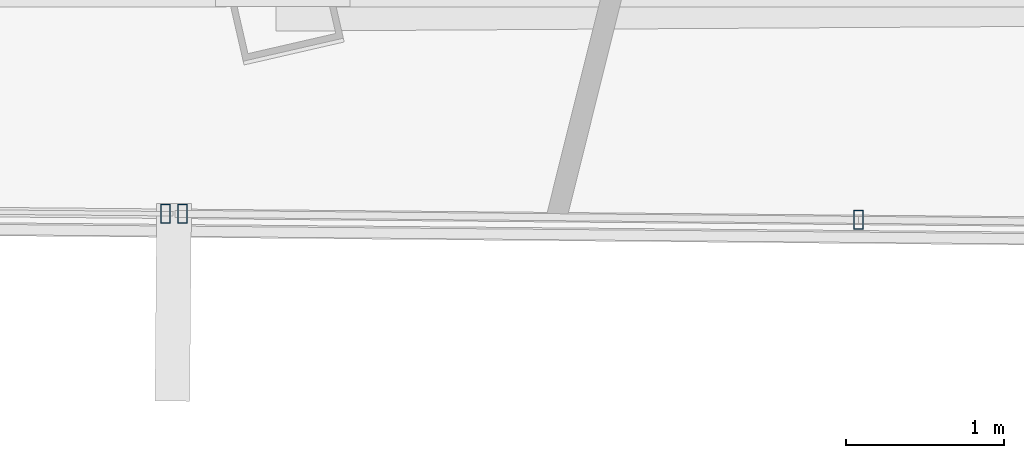
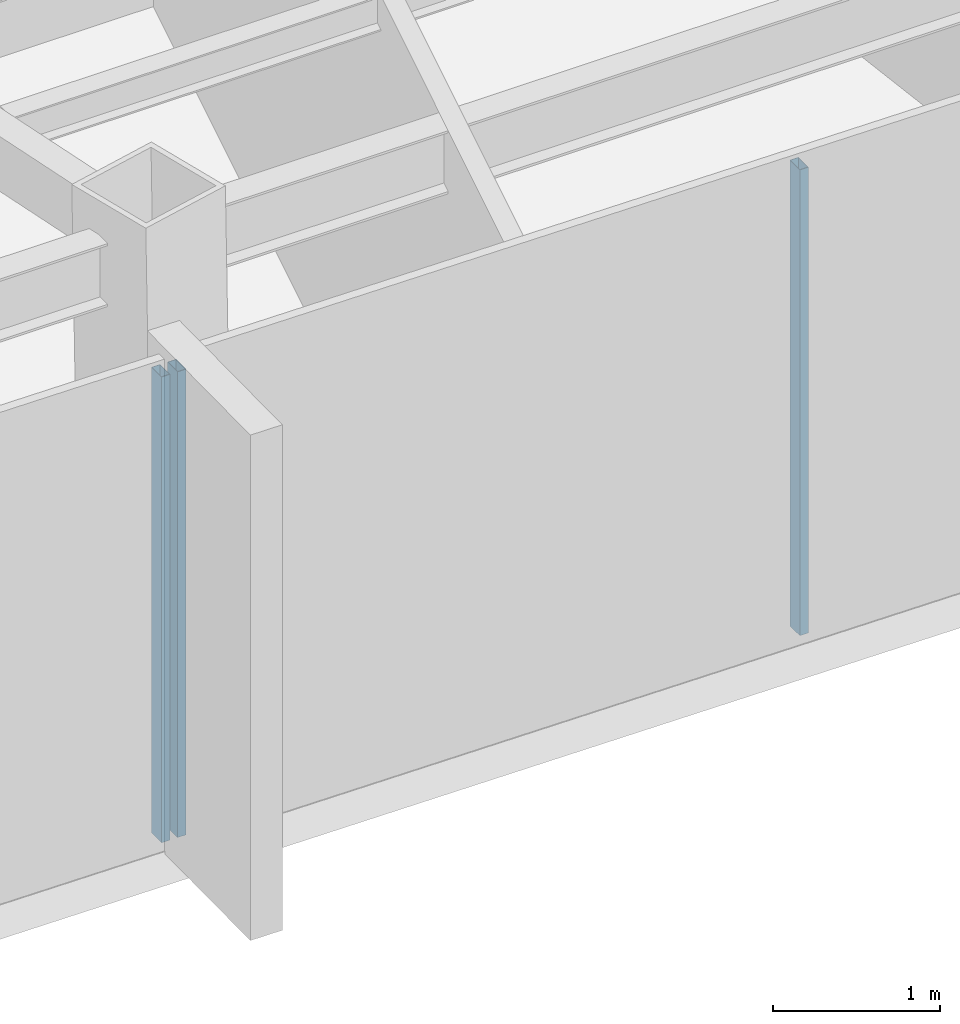
# One storey, part 11 of 46: 3 members, 2 elements without a shape of their own.
"""IFC4 building model written with IfcOpenShell, lengths in metres."""

from ifc_helpers import new_model, si_unit, direction, frame, origin, origin_2d, place, context, subcontext, project, spatial, hollow_rectangle, extrude, source, transform, mapped, material, material_profile, profile_set, type_object, type_shapes, element, aggregate, save


model = new_model("IFC4")

# Units and contexts
model_context = context("Model", 3, precision=1e-05, world=origin(), true_north=direction((0.0, 1.0)))
body_context = subcontext(model_context, "Body", "Model", "MODEL_VIEW")
ifc_project = project(units=[si_unit("LENGTHUNIT", "METRE"), si_unit("AREAUNIT", "SQUARE_METRE"), si_unit("VOLUMEUNIT", "CUBIC_METRE"), si_unit("PLANEANGLEUNIT", "RADIAN"), si_unit("MASSUNIT", "GRAM", prefix="KILO")], contexts=[model_context])

# Site, building, storey
site_placement = place(None, origin())
site = spatial("IfcSite", under=ifc_project, at=site_placement, CompositionType="ELEMENT")
building_placement = place(site_placement, origin())
building = spatial("IfcBuilding", under=site, at=building_placement, Name="Caelisora Broadcast Tower", CompositionType="ELEMENT")
storey_placement = place(building_placement, frame((0.0, 0.0, 237.14990234375)))
storey = spatial("IfcBuildingStorey", under=building, at=storey_placement, Name="L62", CompositionType="ELEMENT", Elevation=237.14990234375)

# Curtain wall, members
ifc_material_1 = material(Name="Unitised Aluminium Insulated Shadow-Box Spandrel Curtain Wall", Category="aluminium")
curtain_wall_type_1 = type_object("IfcCurtainWallType", Name="CW-SP3", PredefinedType="NOTDEFINED", material=ifc_material_1)
curtain_wall_1_placement = place(storey_placement, origin())
curtain_wall_1 = element("IfcCurtainWall", 1, at=curtain_wall_1_placement, inside=storey, type_object=curtain_wall_type_1, Name="L62 curtain wall CW-SP3", PredefinedType="NOTDEFINED")
ifc_material_2 = material(Name="Aluminium 6063-T6 Anodised Terracotta Bronze", Category="aluminium")
ifc_material_profile = material_profile(ifc_material_2, hollow_rectangle(XDim=0.06005859375, YDim=0.1201171875, WallThickness=0.0029296875, at=origin_2d()), Name="Aluminium 6063-T6 Anodised Terracotta Bronze")
ifc_profile_set = profile_set([ifc_material_profile], Name="Aluminium 6063-T6 Anodised Terracotta Bronze")
member_type = type_object("IfcMemberType", Name="CWM-04", PredefinedType="MULLION", material=ifc_profile_set)
shared_shape = source(origin(), body_context, "Body", "SweptSolid", [
    extrude(hollow_rectangle(XDim=0.06005859375, YDim=0.1201171875, WallThickness=0.0029296875, at=origin_2d()), origin(), (0.0, 0.0, 1.0), 3.400146484375),
])
type_shapes(member_type, [shared_shape])
member_1_placement = place(storey_placement, frame((35.824951171875, 7.58154296875, 0.0), z_axis=(0.0, 0.0, 1.0), x_axis=(1.0, 0.0, 0.0)))
member_1 = element("IfcMember", 2, at=member_1_placement, type_object=member_type, Name="L62-CW-B06 mullion #2", PredefinedType="MULLION", context=body_context, shape_type="MappedRepresentation", body=[
    mapped(shared_shape, transform((0.0, 0.0, 0.0), scale=1.0)),
])
member_2_placement = place(storey_placement, frame((31.5498046875, 7.61962890625, 0.0), z_axis=(0.0, 0.0, 1.0), x_axis=(1.0, 0.0, 0.0)))
member_2 = element("IfcMember", 3, at=member_2_placement, type_object=member_type, Name="L62-CW-B06 mullion #3", PredefinedType="MULLION", context=body_context, shape_type="MappedRepresentation", body=[
    mapped(shared_shape, transform((0.0, 0.0, 0.0), scale=1.0)),
])
aggregate(curtain_wall_1, [member_1, member_2])

# Curtain wall, member
ifc_material_3 = material(Name="Unitised Aluminium and Low-E Glass Curtain Wall", Category="glass")
curtain_wall_type_2 = type_object("IfcCurtainWallType", Name="CW-Z5", PredefinedType="NOTDEFINED", material=ifc_material_3)
curtain_wall_2_placement = place(storey_placement, origin())
curtain_wall_2 = element("IfcCurtainWall", 4, at=curtain_wall_2_placement, inside=storey, type_object=curtain_wall_type_2, Name="L62 curtain wall CW-Z5", PredefinedType="NOTDEFINED")
member_3_placement = place(storey_placement, frame((31.43994140625, 7.62060546875, 0.0), z_axis=(0.0, 0.0, 1.0), x_axis=(1.0, 0.0, 0.0)))
member_3 = element("IfcMember", 5, at=member_3_placement, type_object=member_type, Name="L62-CW-B07 mullion #0", PredefinedType="MULLION", context=body_context, shape_type="MappedRepresentation", body=[
    mapped(shared_shape, transform((0.0, 0.0, 0.0), scale=1.0)),
])
aggregate(curtain_wall_2, [member_3])

save(model, "model.ifc")
